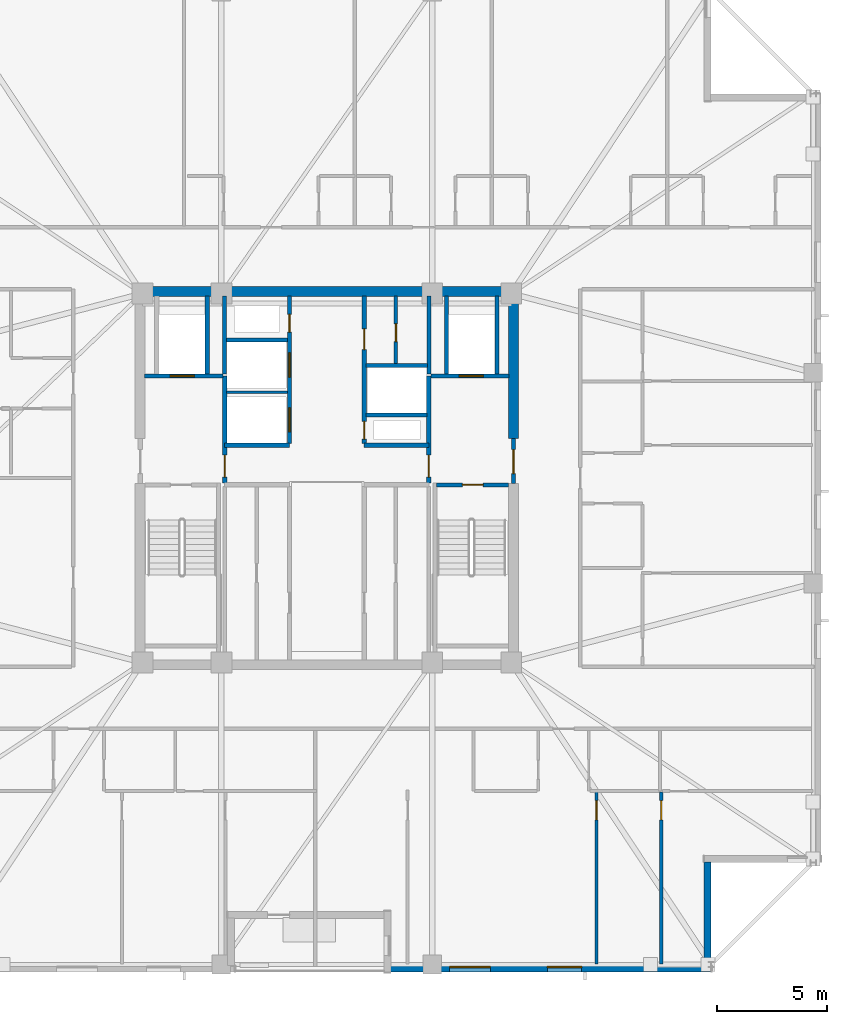
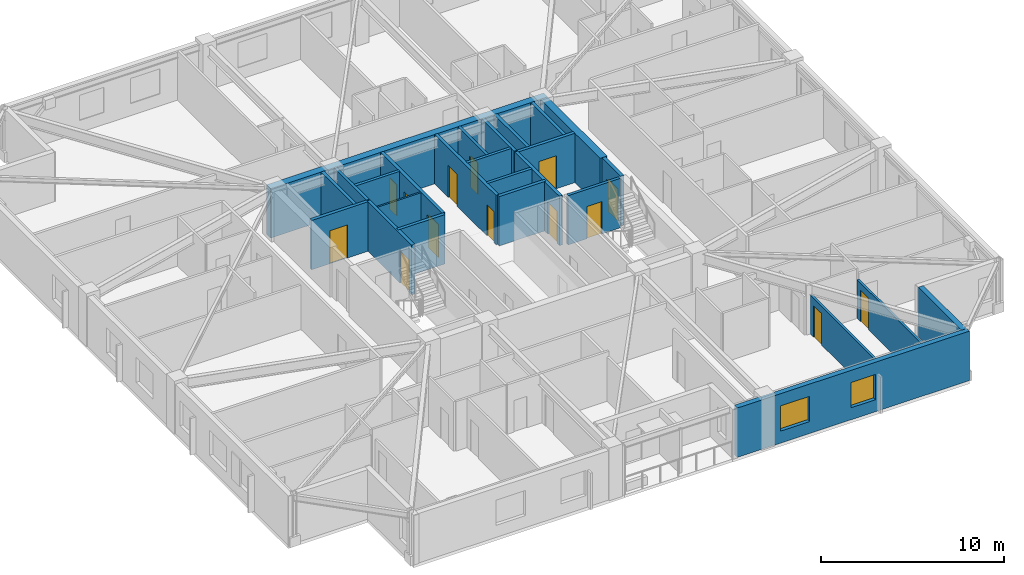
# One storey, part 9 of 17: 26 walls, 14 doors, 2 windows, 16 openings.
"""IFC4 building model written with IfcOpenShell, lengths in metres."""

from ifc_helpers import new_model, si_unit, direction, frame, frame_2d, origin, place, context, subcontext, project, spatial, rectangle, extrude, material, layer, layer_set, type_object, element, fill, save


model = new_model("IFC4")

# Units and contexts
model_context = context("Model", 3, precision=1e-05, world=origin(), true_north=direction((0.0, 1.0)))
body_context = subcontext(model_context, "Body", "Model", "MODEL_VIEW")
ifc_project = project(units=[si_unit("LENGTHUNIT", "METRE"), si_unit("AREAUNIT", "SQUARE_METRE"), si_unit("VOLUMEUNIT", "CUBIC_METRE"), si_unit("PLANEANGLEUNIT", "RADIAN"), si_unit("MASSUNIT", "GRAM", prefix="KILO")], contexts=[model_context])

# Site, building, storey
site_placement = place(None, origin())
site = spatial("IfcSite", under=ifc_project, at=site_placement, CompositionType="ELEMENT")
building_placement = place(site_placement, origin())
building = spatial("IfcBuilding", under=site, at=building_placement, Name="Cairnveth Concourse Tower", CompositionType="ELEMENT")
storey_placement = place(building_placement, frame((0.0, 0.0, 269.0)))
storey = spatial("IfcBuildingStorey", under=building, at=storey_placement, Name="L74", CompositionType="ELEMENT", Elevation=269.0)

# Wall, opening, door
ifc_material_1 = material(Name="Gypsum Plasterboard Partition", Category="gypsum")
ifc_layer_1 = layer(ifc_material_1, 0.159912109375)
ifc_layer_set_1 = layer_set([ifc_layer_1], Name="Gypsum Plasterboard Partition")
wall_type_1 = type_object("IfcWallType", Name="ACOUSTIC PARTY WALL 180", PredefinedType="PARTITIONING", material=ifc_layer_set_1)
wall_1_placement = place(storey_placement, frame((55.14990234375, 44.195068359375, 0.0), z_axis=(0.0, 0.0, 1.0), x_axis=(0.0, 1.0, 0.0)))
wall_1 = element("IfcWall", 1, at=wall_1_placement, inside=storey, type_object=wall_type_1, Name="Interior Wall IW-L74-035", PredefinedType="PARTITIONING", context=body_context, shape_type="SweptSolid", body=[
    extrude(rectangle(XDim=3.094970703125, YDim=0.159912109375, at=frame_2d((1.54736328125, 0.0))), origin(), (0.0, 0.0, 1.0), 3.2900390625),
])
opening_1_placement = place(wall_1_placement, frame((1.02490234375, 0.0, 0.0)))
opening_1 = element("IfcOpeningElement", 2, at=opening_1_placement, cuts=wall_1, Name="Opening ID23", PredefinedType="OPENING", context=body_context, shape_type="SweptSolid", body=[
    extrude(rectangle(XDim=0.800048828125, YDim=2.10009765625, at=frame_2d((0.39990234375, 1.050048828125))), frame((0.0, 0.08984375, 0.0), z_axis=(0.0, -1.0, 0.0), x_axis=(1.0, 0.0, 0.0)), (0.0, 0.0, 1.0), 0.179931640625),
])
ifc_material_2 = material(Name="Steel Grade 350", Category="steel")
door_type_1 = type_object("IfcDoorType", Name="CORE SERVICE DOOR 800X2100", OperationType="NOTDEFINED", PredefinedType="DOOR", material=ifc_material_2)
door_1_placement = place(opening_1_placement, origin())
door_1 = element("IfcDoor", 3, at=door_1_placement, inside=storey, type_object=door_type_1, Name="NE Linen Closet Door L74", OperationType="SINGLE_SWING_RIGHT", OverallHeight=2.10009765625, OverallWidth=0.800048828125, PredefinedType="DOOR", context=body_context, shape_type="SweptSolid", body=[
    extrude(rectangle(XDim=0.800048828125, YDim=2.10009765625, at=frame_2d((0.39990234375, 1.050048828125))), frame((0.0, 0.02490234375, 0.0), z_axis=(0.0, -1.0, 0.0), x_axis=(1.0, 0.0, 0.0)), (0.0, 0.0, 1.0), 0.050048828125),
])
fill(opening_1, door_1)

# Walls
ifc_material_3 = material(Name="Concrete N65 (65 MPa)", Category="concrete")
ifc_layer_2 = layer(ifc_material_3, 0.449951171875)
ifc_layer_set_2 = layer_set([ifc_layer_2], Name="Concrete N65 (65 MPa)")
wall_type_2 = type_object("IfcWallType", Name="CORE SHEAR WALL 450", PredefinedType="SHEAR", material=ifc_layer_set_2)
wall_2_placement = place(storey_placement, frame((43.27490234375, 47.5, 0.0), z_axis=(0.0, 0.0, 1.0), x_axis=(1.0, 0.0, 0.0)))
element("IfcWall", 4, at=wall_2_placement, inside=storey, type_object=wall_type_2, Name="Core North Shear Wall L74", PredefinedType="SHEAR", context=body_context, shape_type="SweptSolid", body=[
    extrude(rectangle(XDim=17.4501953125, YDim=0.449951171875, at=frame_2d((8.72509765625, 0.0))), origin(), (0.0, 0.0, 1.0), 3.2900390625),
])
wall_3_placement = place(storey_placement, frame((60.5, 40.800048828125, 0.0), z_axis=(0.0, 0.0, 1.0), x_axis=(0.0, 1.0, 0.0)))
element("IfcWall", 5, at=wall_3_placement, inside=storey, type_object=wall_type_2, Name="Core East Shear Wall N L74", PredefinedType="SHEAR", context=body_context, shape_type="SweptSolid", body=[
    extrude(rectangle(XDim=6.48486328125, YDim=0.449951171875, at=frame_2d((3.242431640625, 0.0))), origin(), (0.0, 0.0, 1.0), 3.2900390625),
])
ifc_material_4 = material(Name="Concrete N50 (50 MPa)", Category="concrete")
ifc_layer_3 = layer(ifc_material_4, 0.179931640625)
ifc_layer_set_3 = layer_set([ifc_layer_3], Name="Concrete N50 (50 MPa)")
wall_type_3 = type_object("IfcWallType", Name="FIRE SHAFT WALL 180", PredefinedType="SOLIDWALL", material=ifc_layer_set_3)
wall_4_placement = place(storey_placement, frame((47.35009765625, 43.735107421875, 0.0), z_axis=(0.0, 0.0, 1.0), x_axis=(0.0, 1.0, 0.0)))
element("IfcWall", 6, at=wall_4_placement, inside=storey, type_object=wall_type_3, Name="Interior Wall IW-L74-029", PredefinedType="SOLIDWALL", context=body_context, shape_type="SweptSolid", body=[
    extrude(rectangle(XDim=3.554931640625, YDim=0.179931640625, at=frame_2d((1.77734375, 0.0))), origin(), (0.0, 0.0, 1.0), 3.2900390625),
])
wall_5_placement = place(storey_placement, frame((47.425048828125, 45.280029296875, 0.0), z_axis=(0.0, 0.0, 1.0), x_axis=(1.0, 0.0, 0.0)))
element("IfcWall", 7, at=wall_5_placement, inside=storey, type_object=wall_type_3, Name="Interior Wall IW-L74-031", PredefinedType="SOLIDWALL", context=body_context, shape_type="SweptSolid", body=[
    extrude(rectangle(XDim=2.7900390625, YDim=0.179931640625, at=frame_2d((1.39501953125, 0.0))), origin(), (0.0, 0.0, 1.0), 3.2900390625),
])
wall_6_placement = place(storey_placement, frame((56.64990234375, 43.735107421875, 0.0), z_axis=(0.0, 0.0, 1.0), x_axis=(0.0, 1.0, 0.0)))
element("IfcWall", 8, at=wall_6_placement, inside=storey, type_object=wall_type_3, Name="Interior Wall IW-L74-032", PredefinedType="SOLIDWALL", context=body_context, shape_type="SweptSolid", body=[
    extrude(rectangle(XDim=3.554931640625, YDim=0.179931640625, at=frame_2d((1.77734375, 0.0))), origin(), (0.0, 0.0, 1.0), 3.2900390625),
])
wall_7_placement = place(storey_placement, frame((53.784912109375, 41.8798828125, 0.0), z_axis=(0.0, 0.0, 1.0), x_axis=(1.0, 0.0, 0.0)))
element("IfcWall", 9, at=wall_7_placement, inside=storey, type_object=wall_type_3, Name="Interior Wall IW-L74-033", PredefinedType="SOLIDWALL", context=body_context, shape_type="SweptSolid", body=[
    extrude(rectangle(XDim=2.780029296875, YDim=0.179931640625, at=frame_2d((1.39013671875, 0.0))), origin(), (0.0, 0.0, 1.0), 3.2900390625),
])
wall_8_placement = place(storey_placement, frame((53.784912109375, 44.1201171875, 0.0), z_axis=(0.0, 0.0, 1.0), x_axis=(1.0, 0.0, 0.0)))
element("IfcWall", 10, at=wall_8_placement, inside=storey, type_object=wall_type_3, Name="Interior Wall IW-L74-034", PredefinedType="SOLIDWALL", context=body_context, shape_type="SweptSolid", body=[
    extrude(rectangle(XDim=2.7900390625, YDim=0.179931640625, at=frame_2d((1.39501953125, 0.0))), origin(), (0.0, 0.0, 1.0), 3.2900390625),
])

# Wall, opening, door
wall_9_placement = place(storey_placement, frame((57.0048828125, 38.68994140625, 0.0), z_axis=(0.0, 0.0, 1.0), x_axis=(1.0, 0.0, 0.0)))
wall_9 = element("IfcWall", 11, at=wall_9_placement, inside=storey, type_object=wall_type_3, Name="Stair ST-2 Shaft Wall NEAR L74", PredefinedType="SOLIDWALL", context=body_context, shape_type="SweptSolid", body=[
    extrude(rectangle(XDim=3.280029296875, YDim=0.179931640625, at=frame_2d((1.64013671875, 0.0))), origin(), (0.0, 0.0, 1.0), 3.2900390625),
])
opening_2_placement = place(wall_9_placement, frame((1.1650390625, 0.0, 0.0)))
opening_2 = element("IfcOpeningElement", 12, at=opening_2_placement, cuts=wall_9, Name="Opening ID12", PredefinedType="OPENING", context=body_context, shape_type="SweptSolid", body=[
    extrude(rectangle(XDim=0.949951171875, YDim=2.14990234375, at=frame_2d((0.47509765625, 1.074951171875))), frame((0.0, 0.099853515625, 0.0), z_axis=(0.0, -1.0, 0.0), x_axis=(1.0, 0.0, 0.0)), (0.0, 0.0, 1.0), 0.199951171875),
])
door_type_2 = type_object("IfcDoorType", Name="FIRE STAIR DOOR 950X2150", OperationType="NOTDEFINED", PredefinedType="DOOR", material=ifc_material_2)
door_2_placement = place(opening_2_placement, origin())
door_2 = element("IfcDoor", 13, at=door_2_placement, inside=storey, type_object=door_type_2, Name="Stair ST-2 Fire Door L74", OperationType="SINGLE_SWING_RIGHT", OverallHeight=2.14990234375, OverallWidth=0.949951171875, PredefinedType="DOOR", context=body_context, shape_type="SweptSolid", body=[
    extrude(rectangle(XDim=0.949951171875, YDim=2.14990234375, at=frame_2d((0.47509765625, 1.074951171875))), frame((0.0, 0.02490234375, 0.0), z_axis=(0.0, -1.0, 0.0), x_axis=(1.0, 0.0, 0.0)), (0.0, 0.0, 1.0), 0.050048828125),
])
fill(opening_2, door_2)

# Walls
ifc_layer_4 = layer(ifc_material_4, 0.199951171875)
ifc_layer_set_4 = layer_set([ifc_layer_4], Name="Concrete N50 (50 MPa)")
wall_type_4 = type_object("IfcWallType", Name="FIRE SHAFT WALL 200", PredefinedType="SOLIDWALL", material=ifc_layer_set_4)
for number, where, z_axis, x_axis, name in (
    (14, (47.35009765625, 40.5, 0.0), (0.0, 0.0, 1.0), (1.0, 0.0, 0.0), "Interior Wall IW-L74-008"),
    (15, (53.699951171875, 40.5, 0.0), (0.0, 0.0, 1.0), (1.0, 0.0, 0.0), "Interior Wall IW-L74-010"),
):
    element("IfcWall", number, at=place(storey_placement, frame(where, z_axis=z_axis, x_axis=x_axis)), inside=storey, type_object=wall_type_4, Name=name, PredefinedType="SOLIDWALL", context=body_context, shape_type="SweptSolid", body=[
        extrude(rectangle(XDim=2.949951171875, YDim=0.199951171875, at=frame_2d((1.47509765625, 0.0))), origin(), (0.0, 0.0, 1.0), 3.2900390625),
    ])

# Wall, openings, doors
wall_10_placement = place(storey_placement, frame((50.300048828125, 40.5849609375, 0.0), z_axis=(0.0, 0.0, 1.0), x_axis=(0.0, 1.0, 0.0)))
wall_10 = element("IfcWall", 16, at=wall_10_placement, inside=storey, type_object=wall_type_4, Name="Interior Wall IW-L74-013", PredefinedType="SOLIDWALL", context=body_context, shape_type="SweptSolid", body=[
    extrude(rectangle(XDim=6.705078125, YDim=0.199951171875, at=frame_2d((3.3525390625, 0.0))), origin(), (0.0, 0.0, 1.0), 3.2900390625),
])
opening_3_placement = place(wall_10_placement, frame((0.514892578125, 0.0, 0.0)))
opening_3 = element("IfcOpeningElement", 17, at=opening_3_placement, cuts=wall_10, Name="Opening LD-1", PredefinedType="OPENING", context=body_context, shape_type="SweptSolid", body=[
    extrude(rectangle(XDim=1.10009765625, YDim=2.199951171875, at=frame_2d((0.550048828125, 1.10009765625))), frame((0.0, 0.10986328125, 0.0), z_axis=(0.0, -1.0, 0.0), x_axis=(1.0, 0.0, 0.0)), (0.0, 0.0, 1.0), 0.219970703125),
])
opening_4_placement = place(wall_10_placement, frame((3.014892578125, 0.0, 0.0)))
opening_4 = element("IfcOpeningElement", 18, at=opening_4_placement, cuts=wall_10, Name="Opening LD-1", PredefinedType="OPENING", context=body_context, shape_type="SweptSolid", body=[
    extrude(rectangle(XDim=1.10009765625, YDim=2.199951171875, at=frame_2d((0.550048828125, 1.10009765625))), frame((0.0, 0.10986328125, 0.0), z_axis=(0.0, -1.0, 0.0), x_axis=(1.0, 0.0, 0.0)), (0.0, 0.0, 1.0), 0.219970703125),
])
opening_5_placement = place(wall_10_placement, frame((5.06494140625, 0.0, 0.0)))
opening_5 = element("IfcOpeningElement", 19, at=opening_5_placement, cuts=wall_10, Name="Opening ID24", PredefinedType="OPENING", context=body_context, shape_type="SweptSolid", body=[
    extrude(rectangle(XDim=0.800048828125, YDim=2.080078125, at=frame_2d((0.39990234375, 1.0400390625))), frame((0.0, 0.10986328125, 0.0), z_axis=(0.0, -1.0, 0.0), x_axis=(1.0, 0.0, 0.0)), (0.0, 0.0, 1.0), 0.219970703125),
])
ifc_material_5 = material(Name="Architectural Bronze Anodised Aluminium 6063-T6", Category="aluminium")
door_type_3 = type_object("IfcDoorType", Name="LIFT LANDING DOOR 1100X2200", OperationType="SLIDING_TO_LEFT", PredefinedType="DOOR", material=ifc_material_5)
door_3_placement = place(opening_3_placement, origin())
door_3 = element("IfcDoor", 20, at=door_3_placement, inside=storey, type_object=door_type_3, Name="Lift PL7 Landing Door L74", OperationType="SLIDING_TO_LEFT", OverallHeight=2.199951171875, OverallWidth=1.10009765625, PredefinedType="DOOR", context=body_context, shape_type="SweptSolid", body=[
    extrude(rectangle(XDim=1.10009765625, YDim=2.199951171875, at=frame_2d((0.550048828125, 1.10009765625))), frame((0.0, 0.02490234375, 0.0), z_axis=(0.0, -1.0, 0.0), x_axis=(1.0, 0.0, 0.0)), (0.0, 0.0, 1.0), 0.050048828125),
])
fill(opening_3, door_3)
door_4_placement = place(opening_4_placement, origin())
door_4 = element("IfcDoor", 21, at=door_4_placement, inside=storey, type_object=door_type_3, Name="Lift PL8 Landing Door L74", OperationType="SLIDING_TO_LEFT", OverallHeight=2.199951171875, OverallWidth=1.10009765625, PredefinedType="DOOR", context=body_context, shape_type="SweptSolid", body=[
    extrude(rectangle(XDim=1.10009765625, YDim=2.199951171875, at=frame_2d((0.550048828125, 1.10009765625))), frame((0.0, 0.02490234375, 0.0), z_axis=(0.0, -1.0, 0.0), x_axis=(1.0, 0.0, 0.0)), (0.0, 0.0, 1.0), 0.050048828125),
])
fill(opening_4, door_4)
door_type_4 = type_object("IfcDoorType", Name="RISER ACCESS DOOR 800X2100", OperationType="NOTDEFINED", PredefinedType="DOOR", material=ifc_material_2)
door_5_placement = place(opening_5_placement, origin())
door_5 = element("IfcDoor", 22, at=door_5_placement, inside=storey, type_object=door_type_4, Name="NW Electrical Riser Access Door L74", OperationType="SINGLE_SWING_LEFT", OverallHeight=2.080078125, OverallWidth=0.800048828125, PredefinedType="DOOR", context=body_context, shape_type="SweptSolid", body=[
    extrude(rectangle(XDim=0.800048828125, YDim=2.080078125, at=frame_2d((0.39990234375, 1.0400390625))), frame((0.0, 0.02490234375, 0.0), z_axis=(0.0, -1.0, 0.0), x_axis=(1.0, 0.0, 0.0)), (0.0, 0.0, 1.0), 0.050048828125),
])
fill(opening_5, door_5)

wall_11_placement = place(storey_placement, frame((53.699951171875, 40.5849609375, 0.0), z_axis=(0.0, 0.0, 1.0), x_axis=(0.0, 1.0, 0.0)))
wall_11 = element("IfcWall", 23, at=wall_11_placement, inside=storey, type_object=wall_type_4, Name="Interior Wall IW-L74-014", PredefinedType="SOLIDWALL", context=body_context, shape_type="SweptSolid", body=[
    extrude(rectangle(XDim=6.705078125, YDim=0.199951171875, at=frame_2d((3.3525390625, 0.0))), origin(), (0.0, 0.0, 1.0), 3.2900390625),
])
opening_6_placement = place(wall_11_placement, frame((0.195068359375, 0.0, 0.0)))
opening_6 = element("IfcOpeningElement", 24, at=opening_6_placement, cuts=wall_11, Name="Opening ID24", PredefinedType="OPENING", context=body_context, shape_type="SweptSolid", body=[
    extrude(rectangle(XDim=0.800048828125, YDim=2.080078125, at=frame_2d((0.39990234375, 1.0400390625))), frame((0.0, 0.10986328125, 0.0), z_axis=(0.0, -1.0, 0.0), x_axis=(1.0, 0.0, 0.0)), (0.0, 0.0, 1.0), 0.219970703125),
])
opening_7_placement = place(wall_11_placement, frame((4.264892578125, 0.0, 0.0)))
opening_7 = element("IfcOpeningElement", 25, at=opening_7_placement, cuts=wall_11, Name="Opening ID25", PredefinedType="OPENING", context=body_context, shape_type="SweptSolid", body=[
    extrude(rectangle(XDim=0.949951171875, YDim=2.1201171875, at=frame_2d((0.47509765625, 1.06005859375))), frame((0.0, 0.10986328125, 0.0), z_axis=(0.0, -1.0, 0.0), x_axis=(1.0, 0.0, 0.0)), (0.0, 0.0, 1.0), 0.219970703125),
])
door_type_5 = type_object("IfcDoorType", Name="CORE ACCESSIBLE FIRE DOOR 950X2120", OperationType="NOTDEFINED", PredefinedType="DOOR", material=ifc_material_2)
door_6_placement = place(opening_7_placement, origin())
door_6 = element("IfcDoor", 26, at=door_6_placement, inside=storey, type_object=door_type_5, Name="Core NE Restroom Door L74", OperationType="SINGLE_SWING_LEFT", OverallHeight=2.1201171875, OverallWidth=0.949951171875, PredefinedType="DOOR", context=body_context, shape_type="SweptSolid", body=[
    extrude(rectangle(XDim=0.949951171875, YDim=2.1201171875, at=frame_2d((0.47509765625, 1.06005859375))), frame((0.0, 0.02490234375, 0.0), z_axis=(0.0, -1.0, 0.0), x_axis=(1.0, 0.0, 0.0)), (0.0, 0.0, 1.0), 0.050048828125),
])
fill(opening_7, door_6)
door_7_placement = place(opening_6_placement, origin())
door_7 = element("IfcDoor", 27, at=door_7_placement, inside=storey, type_object=door_type_4, Name="Hydraulic Riser Door L74", OperationType="SINGLE_SWING_RIGHT", OverallHeight=2.080078125, OverallWidth=0.800048828125, PredefinedType="DOOR", context=body_context, shape_type="SweptSolid", body=[
    extrude(rectangle(XDim=0.800048828125, YDim=2.080078125, at=frame_2d((0.39990234375, 1.0400390625))), frame((0.0, 0.02490234375, 0.0), z_axis=(0.0, -1.0, 0.0), x_axis=(1.0, 0.0, 0.0)), (0.0, 0.0, 1.0), 0.050048828125),
])
fill(opening_6, door_7)

# Wall, opening, door
wall_12_placement = place(storey_placement, frame((47.35009765625, 38.784912109375, 0.0), z_axis=(0.0, 0.0, 1.0), x_axis=(0.0, 1.0, 0.0)))
wall_12 = element("IfcWall", 28, at=wall_12_placement, inside=storey, type_object=wall_type_4, Name="Interior Wall IW-L74-016", PredefinedType="SOLIDWALL", context=body_context, shape_type="SweptSolid", body=[
    extrude(rectangle(XDim=4.864990234375, YDim=0.199951171875, at=frame_2d((2.4326171875, 0.0))), origin(), (0.0, 0.0, 1.0), 3.2900390625),
])
opening_8_placement = place(wall_12_placement, frame((0.264892578125, 0.0, 0.0)))
opening_8 = element("IfcOpeningElement", 29, at=opening_8_placement, cuts=wall_12, Name="Opening ID07", PredefinedType="OPENING", context=body_context, shape_type="SweptSolid", body=[
    extrude(rectangle(XDim=1.0, YDim=2.14990234375, at=frame_2d((0.5, 1.074951171875))), frame((0.0, 0.10986328125, 0.0), z_axis=(0.0, -1.0, 0.0), x_axis=(1.0, 0.0, 0.0)), (0.0, 0.0, 1.0), 0.219970703125),
])
door_type_6 = type_object("IfcDoorType", Name="FIRE CORRIDOR DOOR 1000X2150", OperationType="NOTDEFINED", PredefinedType="DOOR", material=ifc_material_2)
door_8_placement = place(opening_8_placement, origin())
door_8 = element("IfcDoor", 30, at=door_8_placement, inside=storey, type_object=door_type_6, Name="FF Lobby West to Lift Lobby Door L74", OperationType="SINGLE_SWING_RIGHT", OverallHeight=2.14990234375, OverallWidth=1.0, PredefinedType="DOOR", context=body_context, shape_type="SweptSolid", body=[
    extrude(rectangle(XDim=1.0, YDim=2.14990234375, at=frame_2d((0.5, 1.074951171875))), frame((0.0, 0.02490234375, 0.0), z_axis=(0.0, -1.0, 0.0), x_axis=(1.0, 0.0, 0.0)), (0.0, 0.0, 1.0), 0.050048828125),
])
fill(opening_8, door_8)

wall_13_placement = place(storey_placement, frame((43.7099609375, 43.64990234375, 0.0), z_axis=(0.0, 0.0, 1.0), x_axis=(1.0, 0.0, 0.0)))
wall_13 = element("IfcWall", 31, at=wall_13_placement, inside=storey, type_object=wall_type_4, Name="Interior Wall IW-L74-017", PredefinedType="SOLIDWALL", context=body_context, shape_type="SweptSolid", body=[
    extrude(rectangle(XDim=3.554931640625, YDim=0.199951171875, at=frame_2d((1.77734375, 0.0))), origin(), (0.0, 0.0, 1.0), 3.2900390625),
])
opening_9_placement = place(wall_13_placement, frame((1.159912109375, 0.0, 0.0)))
opening_9 = element("IfcOpeningElement", 32, at=opening_9_placement, cuts=wall_13, Name="Opening LD-1", PredefinedType="OPENING", context=body_context, shape_type="SweptSolid", body=[
    extrude(rectangle(XDim=1.10009765625, YDim=2.199951171875, at=frame_2d((0.550048828125, 1.10009765625))), frame((0.0, 0.10986328125, 0.0), z_axis=(0.0, -1.0, 0.0), x_axis=(1.0, 0.0, 0.0)), (0.0, 0.0, 1.0), 0.219970703125),
])
door_9_placement = place(opening_9_placement, origin())
door_9 = element("IfcDoor", 33, at=door_9_placement, inside=storey, type_object=door_type_3, Name="Lift FFL1 Landing Door L74", OperationType="SLIDING_TO_LEFT", OverallHeight=2.199951171875, OverallWidth=1.10009765625, PredefinedType="DOOR", context=body_context, shape_type="SweptSolid", body=[
    extrude(rectangle(XDim=1.10009765625, YDim=2.199951171875, at=frame_2d((0.550048828125, 1.10009765625))), frame((0.0, 0.02490234375, 0.0), z_axis=(0.0, -1.0, 0.0), x_axis=(1.0, 0.0, 0.0)), (0.0, 0.0, 1.0), 0.050048828125),
])
fill(opening_9, door_9)

# Wall
wall_14_placement = place(storey_placement, frame((46.550048828125, 43.735107421875, 0.0), z_axis=(0.0, 0.0, 1.0), x_axis=(0.0, 1.0, 0.0)))
element("IfcWall", 34, at=wall_14_placement, inside=storey, type_object=wall_type_4, Name="Interior Wall IW-L74-018", PredefinedType="SOLIDWALL", context=body_context, shape_type="SweptSolid", body=[
    extrude(rectangle(XDim=3.554931640625, YDim=0.199951171875, at=frame_2d((1.77734375, 0.0))), origin(), (0.0, 0.0, 1.0), 3.2900390625),
])

# Wall, opening, door
wall_15_placement = place(storey_placement, frame((60.5, 38.75, 0.0), z_axis=(0.0, 0.0, 1.0), x_axis=(0.0, 1.0, 0.0)))
wall_15 = element("IfcWall", 35, at=wall_15_placement, inside=storey, type_object=wall_type_4, Name="Interior Wall IW-L74-020", PredefinedType="SOLIDWALL", context=body_context, shape_type="SweptSolid", body=[
    extrude(rectangle(XDim=2.050048828125, YDim=0.199951171875, at=frame_2d((1.02490234375, 0.0))), origin(), (0.0, 0.0, 1.0), 3.2900390625),
])
opening_10_placement = place(wall_15_placement, frame((0.449951171875, 0.0, 0.0)))
opening_10 = element("IfcOpeningElement", 36, at=opening_10_placement, cuts=wall_15, Name="Opening ID06", PredefinedType="OPENING", context=body_context, shape_type="SweptSolid", body=[
    extrude(rectangle(XDim=1.10009765625, YDim=2.14990234375, at=frame_2d((0.550048828125, 1.074951171875))), frame((0.0, 0.10986328125, 0.0), z_axis=(0.0, -1.0, 0.0), x_axis=(1.0, 0.0, 0.0)), (0.0, 0.0, 1.0), 0.219970703125),
])
door_type_7 = type_object("IfcDoorType", Name="FIRE CORRIDOR DOOR 1100X2150", OperationType="NOTDEFINED", PredefinedType="DOOR", material=ifc_material_2)
door_10_placement = place(opening_10_placement, origin())
door_10 = element("IfcDoor", 37, at=door_10_placement, inside=storey, type_object=door_type_7, Name="East Wing to FF Lobby Door L74", OperationType="SINGLE_SWING_RIGHT", OverallHeight=2.14990234375, OverallWidth=1.10009765625, PredefinedType="DOOR", context=body_context, shape_type="SweptSolid", body=[
    extrude(rectangle(XDim=1.10009765625, YDim=2.14990234375, at=frame_2d((0.550048828125, 1.074951171875))), frame((0.0, 0.02490234375, 0.0), z_axis=(0.0, -1.0, 0.0), x_axis=(1.0, 0.0, 0.0)), (0.0, 0.0, 1.0), 0.050048828125),
])
fill(opening_10, door_10)

wall_16_placement = place(storey_placement, frame((56.64990234375, 38.784912109375, 0.0), z_axis=(0.0, 0.0, 1.0), x_axis=(0.0, 1.0, 0.0)))
wall_16 = element("IfcWall", 38, at=wall_16_placement, inside=storey, type_object=wall_type_4, Name="Interior Wall IW-L74-021", PredefinedType="SOLIDWALL", context=body_context, shape_type="SweptSolid", body=[
    extrude(rectangle(XDim=4.864990234375, YDim=0.199951171875, at=frame_2d((2.4326171875, 0.0))), origin(), (0.0, 0.0, 1.0), 3.2900390625),
])
opening_11_placement = place(wall_16_placement, frame((0.264892578125, 0.0, 0.0)))
opening_11 = element("IfcOpeningElement", 39, at=opening_11_placement, cuts=wall_16, Name="Opening ID07", PredefinedType="OPENING", context=body_context, shape_type="SweptSolid", body=[
    extrude(rectangle(XDim=1.0, YDim=2.14990234375, at=frame_2d((0.5, 1.074951171875))), frame((0.0, 0.10986328125, 0.0), z_axis=(0.0, -1.0, 0.0), x_axis=(1.0, 0.0, 0.0)), (0.0, 0.0, 1.0), 0.219970703125),
])
door_11_placement = place(opening_11_placement, origin())
door_11 = element("IfcDoor", 40, at=door_11_placement, inside=storey, type_object=door_type_6, Name="FF Lobby East to Lift Lobby Door L74", OperationType="SINGLE_SWING_LEFT", OverallHeight=2.14990234375, OverallWidth=1.0, PredefinedType="DOOR", context=body_context, shape_type="SweptSolid", body=[
    extrude(rectangle(XDim=1.0, YDim=2.14990234375, at=frame_2d((0.5, 1.074951171875))), frame((0.0, 0.02490234375, 0.0), z_axis=(0.0, -1.0, 0.0), x_axis=(1.0, 0.0, 0.0)), (0.0, 0.0, 1.0), 0.050048828125),
])
fill(opening_11, door_11)

wall_17_placement = place(storey_placement, frame((56.735107421875, 43.64990234375, 0.0), z_axis=(0.0, 0.0, 1.0), x_axis=(1.0, 0.0, 0.0)))
wall_17 = element("IfcWall", 41, at=wall_17_placement, inside=storey, type_object=wall_type_4, Name="Interior Wall IW-L74-022", PredefinedType="SOLIDWALL", context=body_context, shape_type="SweptSolid", body=[
    extrude(rectangle(XDim=3.554931640625, YDim=0.199951171875, at=frame_2d((1.77734375, 0.0))), origin(), (0.0, 0.0, 1.0), 3.2900390625),
])
opening_12_placement = place(wall_17_placement, frame((1.294921875, 0.0, 0.0)))
opening_12 = element("IfcOpeningElement", 42, at=opening_12_placement, cuts=wall_17, Name="Opening LD-1", PredefinedType="OPENING", context=body_context, shape_type="SweptSolid", body=[
    extrude(rectangle(XDim=1.10009765625, YDim=2.199951171875, at=frame_2d((0.550048828125, 1.10009765625))), frame((0.0, 0.10986328125, 0.0), z_axis=(0.0, -1.0, 0.0), x_axis=(1.0, 0.0, 0.0)), (0.0, 0.0, 1.0), 0.219970703125),
])
door_12_placement = place(opening_12_placement, origin())
door_12 = element("IfcDoor", 43, at=door_12_placement, inside=storey, type_object=door_type_3, Name="Lift FFL2 Landing Door L74", OperationType="SLIDING_TO_LEFT", OverallHeight=2.199951171875, OverallWidth=1.10009765625, PredefinedType="DOOR", context=body_context, shape_type="SweptSolid", body=[
    extrude(rectangle(XDim=1.10009765625, YDim=2.199951171875, at=frame_2d((0.550048828125, 1.10009765625))), frame((0.0, 0.02490234375, 0.0), z_axis=(0.0, -1.0, 0.0), x_axis=(1.0, 0.0, 0.0)), (0.0, 0.0, 1.0), 0.050048828125),
])
fill(opening_12, door_12)

# Walls
for number, where, z_axis, x_axis, name in (
    (44, (57.449951171875, 43.735107421875, 0.0), (0.0, 0.0, 1.0), (0.0, 1.0, 0.0), "Interior Wall IW-L74-023"),
    (45, (59.75, 43.735107421875, 0.0), (0.0, 0.0, 1.0), (0.0, 1.0, 0.0), "Interior Wall IW-L74-024"),
):
    element("IfcWall", number, at=place(storey_placement, frame(where, z_axis=z_axis, x_axis=x_axis)), inside=storey, type_object=wall_type_4, Name=name, PredefinedType="SOLIDWALL", context=body_context, shape_type="SweptSolid", body=[
        extrude(rectangle(XDim=3.554931640625, YDim=0.199951171875, at=frame_2d((1.77734375, 0.0))), origin(), (0.0, 0.0, 1.0), 3.2900390625),
    ])

# Wall, opening, door
ifc_layer_5 = layer(ifc_material_1, 0.139892578125)
ifc_layer_set_5 = layer_set([ifc_layer_5], Name="Gypsum Plasterboard Partition")
wall_type_5 = type_object("IfcWallType", Name="GYPSUM STUD PARTITION 140", PredefinedType="PARTITIONING", material=ifc_layer_set_5)
wall_18_placement = place(storey_placement, frame((67.22998046875, 16.8798828125, 0.0), z_axis=(0.0, 0.0, 1.0), x_axis=(0.0, 1.0, 0.0)))
wall_18 = element("IfcWall", 46, at=wall_18_placement, inside=storey, type_object=wall_type_5, Name="Interior Wall IW-L74-063", PredefinedType="PARTITIONING", context=body_context, shape_type="SweptSolid", body=[
    extrude(rectangle(XDim=7.817626953125, YDim=0.139892578125, at=frame_2d((3.90869140625, 0.0))), origin(), (0.0, 0.0, 1.0), 2.572998046875),
])
opening_13_placement = place(wall_18_placement, frame((6.5576171875, 0.0, 0.0)))
opening_13 = element("IfcOpeningElement", 47, at=opening_13_placement, cuts=wall_18, Name="Opening ID18", PredefinedType="OPENING", context=body_context, shape_type="SweptSolid", body=[
    extrude(rectangle(XDim=0.8798828125, YDim=2.10009765625, at=frame_2d((0.43994140625, 1.050048828125))), frame((0.0, 0.079833984375, 0.0), z_axis=(0.0, -1.0, 0.0), x_axis=(1.0, 0.0, 0.0)), (0.0, 0.0, 1.0), 0.159912109375),
])
ifc_material_6 = material(Name="Solid Core Hardwood Timber Leaf", Category="wood")
door_type_8 = type_object("IfcDoorType", Name="INTERIOR SINGLE DOOR 880X2100", OperationType="NOTDEFINED", PredefinedType="DOOR", material=ifc_material_6)
door_13_placement = place(opening_13_placement, origin())
door_13 = element("IfcDoor", 48, at=door_13_placement, inside=storey, type_object=door_type_8, Name="L74S2 Bedroom 2 Door", OperationType="SINGLE_SWING_LEFT", OverallHeight=2.10009765625, OverallWidth=0.8798828125, PredefinedType="DOOR", context=body_context, shape_type="SweptSolid", body=[
    extrude(rectangle(XDim=0.8798828125, YDim=2.10009765625, at=frame_2d((0.43994140625, 1.050048828125))), frame((0.0, 0.02490234375, 0.0), z_axis=(0.0, -1.0, 0.0), x_axis=(1.0, 0.0, 0.0)), (0.0, 0.0, 1.0), 0.050048828125),
])
fill(opening_13, door_13)

wall_19_placement = place(storey_placement, frame((64.280029296875, 16.8798828125, 0.0), z_axis=(0.0, 0.0, 1.0), x_axis=(0.0, 1.0, 0.0)))
wall_19 = element("IfcWall", 49, at=wall_19_placement, inside=storey, type_object=wall_type_5, Name="Interior Wall IW-L74-065", PredefinedType="PARTITIONING", context=body_context, shape_type="SweptSolid", body=[
    extrude(rectangle(XDim=7.817626953125, YDim=0.139892578125, at=frame_2d((3.90869140625, 0.0))), origin(), (0.0, 0.0, 1.0), 2.572998046875),
])
opening_14_placement = place(wall_19_placement, frame((6.5576171875, 0.0, 0.0)))
opening_14 = element("IfcOpeningElement", 50, at=opening_14_placement, cuts=wall_19, Name="Opening ID18", PredefinedType="OPENING", context=body_context, shape_type="SweptSolid", body=[
    extrude(rectangle(XDim=0.8798828125, YDim=2.10009765625, at=frame_2d((0.43994140625, 1.050048828125))), frame((0.0, 0.079833984375, 0.0), z_axis=(0.0, -1.0, 0.0), x_axis=(1.0, 0.0, 0.0)), (0.0, 0.0, 1.0), 0.159912109375),
])
door_14_placement = place(opening_14_placement, origin())
door_14 = element("IfcDoor", 51, at=door_14_placement, inside=storey, type_object=door_type_8, Name="L74S2 Media Lounge Door", OperationType="SINGLE_SWING_RIGHT", OverallHeight=2.10009765625, OverallWidth=0.8798828125, PredefinedType="DOOR", context=body_context, shape_type="SweptSolid", body=[
    extrude(rectangle(XDim=0.8798828125, YDim=2.10009765625, at=frame_2d((0.43994140625, 1.050048828125))), frame((0.0, 0.02490234375, 0.0), z_axis=(0.0, -1.0, 0.0), x_axis=(1.0, 0.0, 0.0)), (0.0, 0.0, 1.0), 0.050048828125),
])
fill(opening_14, door_14)

# Walls
ifc_layer_6 = layer(ifc_material_1, 0.110107421875)
ifc_layer_set_6 = layer_set([ifc_layer_6], Name="Gypsum Plasterboard Partition")
wall_type_6 = type_object("IfcWallType", Name="SHAFT DIVIDER WALL 140", PredefinedType="PARTITIONING", material=ifc_layer_set_6)
wall_20_placement = place(storey_placement, frame((47.43505859375, 42.89990234375, 0.0), z_axis=(0.0, 0.0, 1.0), x_axis=(1.0, 0.0, 0.0)))
element("IfcWall", 52, at=wall_20_placement, inside=storey, type_object=wall_type_6, Name="Interior Wall IW-L74-030", PredefinedType="PARTITIONING", context=body_context, shape_type="SweptSolid", body=[
    extrude(rectangle(XDim=2.780029296875, YDim=0.110107421875, at=frame_2d((1.39013671875, 0.0))), origin(), (0.0, 0.0, 1.0), 3.2900390625),
])
ifc_material_7 = material(Name="Melbourne Buff Fired Clay Brick Masonry", Category="masonry")
ifc_layer_7 = layer(ifc_material_7, 0.320068359375)
ifc_layer_set_7 = layer_set([ifc_layer_7], Name="Melbourne Buff Fired Clay Brick Masonry")
wall_type_7 = type_object("IfcWallType", Name="ZONE 3 BRICK PIER SPANDREL WALL 320", PredefinedType="SOLIDWALL", material=ifc_layer_set_7)
wall_21_placement = place(storey_placement, frame((69.340087890625, 21.52197265625, 0.0), z_axis=(0.0, 0.0, 1.0), x_axis=(0.0, -1.0, 0.0)))
element("IfcWall", 53, at=wall_21_placement, inside=storey, type_object=wall_type_7, Name="Exterior Wall EW-L74-S11", PredefinedType="SOLIDWALL", context=body_context, shape_type="SweptSolid", body=[
    extrude(rectangle(XDim=4.723876953125, YDim=0.320068359375, at=frame_2d((2.36181640625, 0.0))), origin(), (0.0, 0.0, 1.0), 3.2900390625),
])

# Wall, openings, windows
wall_22_placement = place(storey_placement, frame((69.5, 16.659912109375, 0.0), z_axis=(0.0, 0.0, 1.0), x_axis=(-1.0, 0.0, 0.0)))
wall_22 = element("IfcWall", 54, at=wall_22_placement, inside=storey, type_object=wall_type_7, Name="Exterior Wall EW-L74-S12", PredefinedType="SOLIDWALL", context=body_context, shape_type="SweptSolid", body=[
    extrude(rectangle(XDim=14.60205078125, YDim=0.320068359375, at=frame_2d((7.301025390625, 0.0))), origin(), (0.0, 0.0, 1.0), 3.2900390625),
])
opening_15_placement = place(wall_22_placement, frame((5.900390625, 0.0, 0.800048828125)))
opening_15 = element("IfcOpeningElement", 55, at=opening_15_placement, cuts=wall_22, Name="Opening W07", PredefinedType="OPENING", context=body_context, shape_type="SweptSolid", body=[
    extrude(rectangle(XDim=1.550048828125, YDim=1.677978515625, at=frame_2d((0.77490234375, 0.8388671875))), frame((0.0, 0.169921875, 0.0), z_axis=(0.0, -1.0, 0.0), x_axis=(1.0, 0.0, 0.0)), (0.0, 0.0, 1.0), 0.340087890625),
])
opening_16_placement = place(wall_22_placement, frame((10.051513671875, 0.0, 0.800048828125)))
opening_16 = element("IfcOpeningElement", 56, at=opening_16_placement, cuts=wall_22, Name="Opening W08", PredefinedType="OPENING", context=body_context, shape_type="SweptSolid", body=[
    extrude(rectangle(XDim=1.85009765625, YDim=1.677978515625, at=frame_2d((0.925048828125, 0.8388671875))), frame((0.0, 0.169921875, 0.0), z_axis=(0.0, -1.0, 0.0), x_axis=(1.0, 0.0, 0.0)), (0.0, 0.0, 1.0), 0.340087890625),
])
ifc_material_8 = material(Name="Double Glazed Low-E Clear Glass", Category="glass")
window_type_1 = type_object("IfcWindowType", Name="DEEP-SET APARTMENT LIVING WINDOW 1850X1850", PartitioningType="DOUBLE_PANEL_VERTICAL", PredefinedType="WINDOW", material=ifc_material_8)
window_1_placement = place(opening_16_placement, origin())
window_1 = element("IfcWindow", 57, at=window_1_placement, inside=storey, type_object=window_type_1, Name="Gothic Lancet Window L74-12-2", OverallHeight=1.677978515625, OverallWidth=1.85009765625, PartitioningType="SINGLE_PANEL", PredefinedType="WINDOW", context=body_context, shape_type="SweptSolid", body=[
    extrude(rectangle(XDim=1.85009765625, YDim=1.677978515625, at=frame_2d((0.925048828125, 0.8388671875))), frame((0.0, -0.050048828125, 0.0), z_axis=(0.0, -1.0, 0.0), x_axis=(1.0, 0.0, 0.0)), (0.0, 0.0, 1.0), 0.06005859375),
])
fill(opening_16, window_1)
window_type_2 = type_object("IfcWindowType", Name="DEEP-SET APARTMENT WINDOW 1550X1800", PartitioningType="DOUBLE_PANEL_VERTICAL", PredefinedType="WINDOW", material=ifc_material_8)
window_2_placement = place(opening_15_placement, origin())
window_2 = element("IfcWindow", 58, at=window_2_placement, inside=storey, type_object=window_type_2, Name="Gothic Lancet Window L74-12-1", OverallHeight=1.677978515625, OverallWidth=1.550048828125, PartitioningType="SINGLE_PANEL", PredefinedType="WINDOW", context=body_context, shape_type="SweptSolid", body=[
    extrude(rectangle(XDim=1.550048828125, YDim=1.677978515625, at=frame_2d((0.77490234375, 0.8388671875))), frame((0.0, -0.050048828125, 0.0), z_axis=(0.0, -1.0, 0.0), x_axis=(1.0, 0.0, 0.0)), (0.0, 0.0, 1.0), 0.06005859375),
])
fill(opening_15, window_2)

save(model, "model.ifc")
